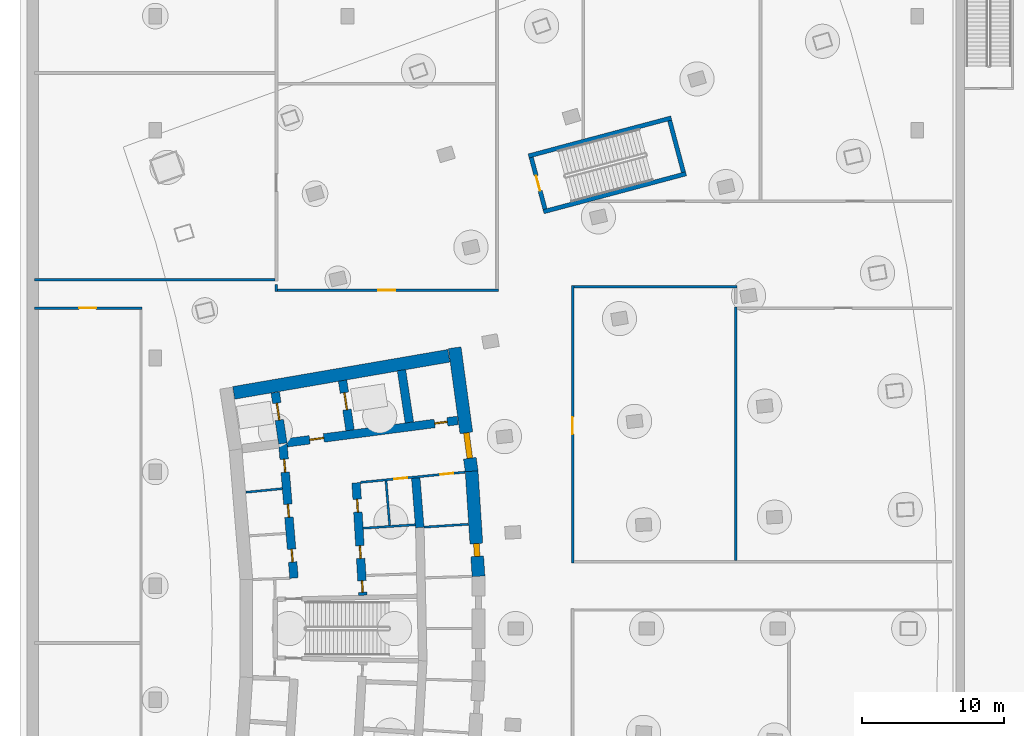
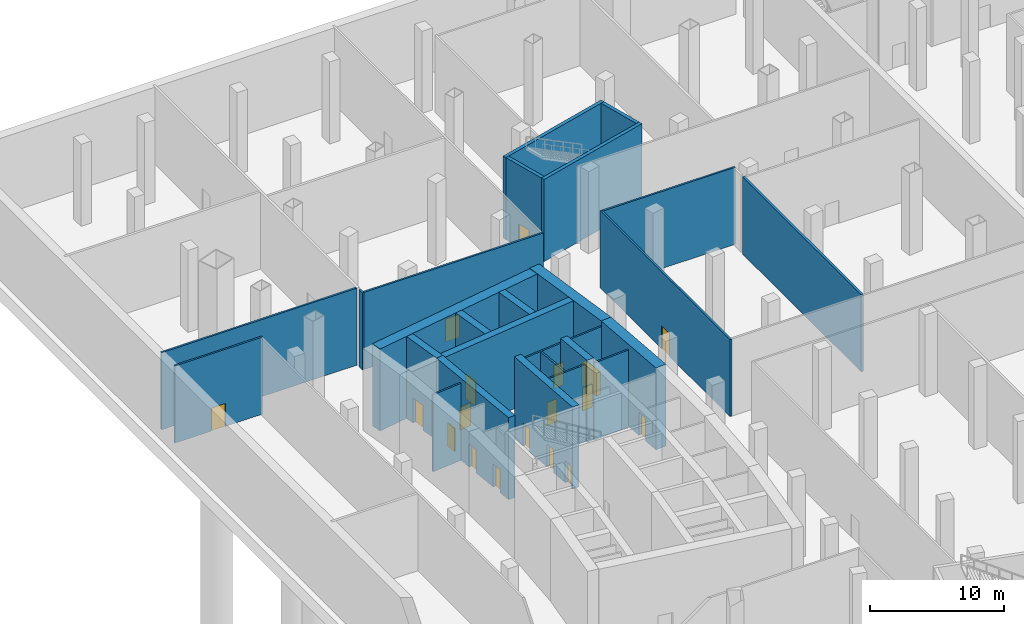
# One storey, part 11 of 19: 26 walls, 18 doors, 18 openings.
"""IFC4 building model written with IfcOpenShell, lengths in metres."""

from ifc_helpers import new_model, si_unit, direction, frame, frame_2d, origin, place, context, subcontext, project, spatial, rectangle, extrude, material, layer, layer_set, type_object, element, fill, save


model = new_model("IFC4")

# Units and contexts
model_context = context("Model", 3, precision=1e-05, world=origin(), true_north=direction((0.0, 1.0)))
body_context = subcontext(model_context, "Body", "Model", "MODEL_VIEW")
ifc_project = project(units=[si_unit("LENGTHUNIT", "METRE"), si_unit("AREAUNIT", "SQUARE_METRE"), si_unit("VOLUMEUNIT", "CUBIC_METRE"), si_unit("PLANEANGLEUNIT", "RADIAN"), si_unit("MASSUNIT", "GRAM", prefix="KILO")], contexts=[model_context])

# Site, building, storey
site_placement = place(None, origin())
site = spatial("IfcSite", under=ifc_project, at=site_placement, CompositionType="ELEMENT")
building_placement = place(site_placement, origin())
building = spatial("IfcBuilding", under=site, at=building_placement, Name="Alderwake Tower", CompositionType="ELEMENT")
storey_placement = place(building_placement, frame((0.0, 0.0, -14.0)))
storey = spatial("IfcBuildingStorey", under=building, at=storey_placement, Name="B2", CompositionType="ELEMENT", Elevation=-14.0)

# Walls
ifc_material_1 = material(Name="Gypsum shaft wall system, rated")
ifc_layer_1 = layer(ifc_material_1, 0.14990234375)
ifc_layer_set_1 = layer_set([ifc_layer_1], Name="Core room partition 150")
wall_type_1 = type_object("IfcWallType", Name="Core room partition 150", PredefinedType="PARTITIONING", material=ifc_layer_set_1)
wall_1_placement = place(storey_placement, frame((26.954833984375, 68.245361328125, 0.0), z_axis=(0.0, 0.0, 1.0), x_axis=(-0.082122484008, 0.996622244193, 0.0)))
element("IfcWall", 1, at=wall_1_placement, inside=storey, type_object=wall_type_1, Name="CW/B2/PA+107_+70", PredefinedType="PARTITIONING", context=body_context, shape_type="SweptSolid", body=[
    extrude(rectangle(XDim=3.13037109375, YDim=0.14990234375, at=frame_2d((1.565185546875, 0.0))), origin(), (0.0, 0.0, 1.0), 7.050048828125),
])
wall_2_placement = place(storey_placement, frame((29.36865234375, 68.1220703125, 0.0), z_axis=(0.0, 0.0, 1.0), x_axis=(0.997885090452, 0.065002663433, 0.0)))
element("IfcWall", 2, at=wall_2_placement, inside=storey, type_object=wall_type_1, Name="CW/B2/PR+68_+128", PredefinedType="PARTITIONING", context=body_context, shape_type="SweptSolid", body=[
    extrude(rectangle(XDim=3.10986328125, YDim=0.14990234375, at=frame_2d((1.554931640625, 0.0))), origin(), (0.0, 0.0, 1.0), 7.050048828125),
])
wall_3_placement = place(storey_placement, frame((25.09228515625, 68.04541015625, 0.0), z_axis=(0.0, 0.0, 1.0), x_axis=(0.997760946222, 0.066881194621, 0.0)))
element("IfcWall", 3, at=wall_3_placement, inside=storey, type_object=wall_type_1, Name="CW/B2/PR+70_+86", PredefinedType="PARTITIONING", context=body_context, shape_type="SweptSolid", body=[
    extrude(rectangle(XDim=3.668701171875, YDim=0.14990234375, at=frame_2d((1.83447265625, 0.0))), origin(), (0.0, 0.0, 1.0), 7.050048828125),
])

# Wall, openings, doors
wall_4_placement = place(storey_placement, frame((32.233642578125, 71.982177734375, 0.0), z_axis=(0.0, 0.0, 1.0), x_axis=(-0.995245540971, -0.097397706226, 0.0)))
wall_4 = element("IfcWall", 4, at=wall_4_placement, inside=storey, type_object=wall_type_1, Name="CW/B2/PR+102_+86", PredefinedType="PARTITIONING", context=body_context, shape_type="SweptSolid", body=[
    extrude(rectangle(XDim=7.36962890625, YDim=0.14990234375, at=frame_2d((3.684814453125, 0.0))), origin(), (0.0, 0.0, 1.0), 7.050048828125),
])
opening_1_placement = place(wall_4_placement, frame((4.069580078125, 0.0, 0.0)))
opening_1 = element("IfcOpeningElement", 5, at=opening_1_placement, cuts=wall_4, Name="Opening C022", PredefinedType="OPENING", context=body_context, shape_type="SweptSolid", body=[
    extrude(rectangle(XDim=0.89990234375, YDim=2.10009765625, at=frame_2d((0.449951171875, 1.050048828125))), frame((0.0, 0.0849609375, 0.0), z_axis=(0.0, -1.0, 0.0), x_axis=(1.0, 0.0, 0.0)), (0.0, 0.0, 1.0), 0.169921875),
])
opening_2_placement = place(wall_4_placement, frame((0.819580078125, 0.0, 0.0)))
opening_2 = element("IfcOpeningElement", 6, at=opening_2_placement, cuts=wall_4, Name="Opening C036", PredefinedType="OPENING", context=body_context, shape_type="SweptSolid", body=[
    extrude(rectangle(XDim=0.89990234375, YDim=2.10009765625, at=frame_2d((0.449951171875, 1.050048828125))), frame((0.0, 0.0849609375, 0.0), z_axis=(0.0, -1.0, 0.0), x_axis=(1.0, 0.0, 0.0)), (0.0, 0.0, 1.0), 0.169921875),
])
ifc_material_2 = material(Name="Painted steel leaf", Category="steel")
door_type_1 = type_object("IfcDoorType", Name="Core room door 900", OperationType="SINGLE_SWING_LEFT", PredefinedType="DOOR", material=ifc_material_2)
door_1_placement = place(opening_1_placement, origin())
door_1 = element("IfcDoor", 7, at=door_1_placement, inside=storey, type_object=door_type_1, Name="Room door", OperationType="SINGLE_SWING_RIGHT", OverallHeight=2.10009765625, OverallWidth=0.89990234375, PredefinedType="DOOR", context=body_context, shape_type="SweptSolid", body=[
    extrude(rectangle(XDim=0.89990234375, YDim=2.10009765625, at=frame_2d((0.449951171875, 1.050048828125))), frame((0.0, 0.02490234375, 0.0), z_axis=(0.0, -1.0, 0.0), x_axis=(1.0, 0.0, 0.0)), (0.0, 0.0, 1.0), 0.050048828125),
])
fill(opening_1, door_1)
door_2_placement = place(opening_2_placement, origin())
door_2 = element("IfcDoor", 8, at=door_2_placement, inside=storey, type_object=door_type_1, Name="Room door", OperationType="SINGLE_SWING_LEFT", OverallHeight=2.10009765625, OverallWidth=0.89990234375, PredefinedType="DOOR", context=body_context, shape_type="SweptSolid", body=[
    extrude(rectangle(XDim=0.89990234375, YDim=2.10009765625, at=frame_2d((0.449951171875, 1.050048828125))), frame((0.0, 0.02490234375, 0.0), z_axis=(0.0, -1.0, 0.0), x_axis=(1.0, 0.0, 0.0)), (0.0, 0.0, 1.0), 0.050048828125),
])
fill(opening_2, door_2)

# Wall
wall_5_placement = place(storey_placement, frame((16.86181640625, 70.571533203125, 0.0), z_axis=(0.0, 0.0, 1.0), x_axis=(0.995151424955, 0.098354671516, 0.0)))
element("IfcWall", 9, at=wall_5_placement, inside=storey, type_object=wall_type_1, Name="CW/B2/PR+103_+0", PredefinedType="PARTITIONING", context=body_context, shape_type="SweptSolid", body=[
    extrude(rectangle(XDim=2.566650390625, YDim=0.14990234375, at=frame_2d((1.283203125, 0.0))), origin(), (0.0, 0.0, 1.0), 7.050048828125),
])

# Wall, opening, door
ifc_material_3 = material(Name="Concrete C70/85", Category="concrete")
ifc_layer_2 = layer(ifc_material_3, 0.89990234375)
ifc_layer_set_2 = layer_set([ifc_layer_2], Name="Core wall outer 900 C70-85")
wall_type_2 = type_object("IfcWallType", Name="Core wall outer 900 C70-85", PredefinedType="SHEAR", material=ifc_layer_set_2)
wall_6_placement = place(storey_placement, frame((32.710693359375, 72.04541015625, 0.0), z_axis=(0.0, 0.0, 1.0), x_axis=(0.064976219143, -0.997886812693, 0.0)))
wall_6 = element("IfcWall", 10, at=wall_6_placement, inside=storey, type_object=wall_type_2, Name="Core wall CW.010", PredefinedType="SHEAR", context=body_context, shape_type="SweptSolid", body=[
    extrude(rectangle(XDim=7.39453125, YDim=0.89990234375, at=frame_2d((3.697265625, 0.0))), origin(), (0.0, 0.0, 1.0), 7.5),
])
opening_3_placement = place(wall_6_placement, frame((5.089111328125, 0.0, 0.0)))
opening_3 = element("IfcOpeningElement", 11, at=opening_3_placement, cuts=wall_6, Name="Opening C035", PredefinedType="OPENING", context=body_context, shape_type="SweptSolid", body=[
    extrude(rectangle(XDim=0.89990234375, YDim=2.10009765625, at=frame_2d((0.449951171875, 1.050048828125))), frame((0.0, 0.4599609375, 0.0), z_axis=(0.0, -1.0, 0.0), x_axis=(1.0, 0.0, 0.0)), (0.0, 0.0, 1.0), 0.919921875),
])
door_3_placement = place(opening_3_placement, origin())
door_3 = element("IfcDoor", 12, at=door_3_placement, inside=storey, type_object=door_type_1, Name="Room door", OperationType="SINGLE_SWING_RIGHT", OverallHeight=2.10009765625, OverallWidth=0.89990234375, PredefinedType="DOOR", context=body_context, shape_type="SweptSolid", body=[
    extrude(rectangle(XDim=0.89990234375, YDim=2.10009765625, at=frame_2d((0.449951171875, 1.050048828125))), frame((0.0, 0.199951171875, 0.0), z_axis=(0.0, -1.0, 0.0), x_axis=(1.0, 0.0, 0.0)), (0.0, 0.0, 1.0), 0.39990234375),
])
fill(opening_3, door_3)

wall_7_placement = place(storey_placement, frame((31.520263671875, 80.7177734375, 0.0), z_axis=(0.0, 0.0, 1.0), x_axis=(0.135844728876, -0.990730139663, 0.0)))
wall_7 = element("IfcWall", 13, at=wall_7_placement, inside=storey, type_object=wall_type_2, Name="Core wall CW.009", PredefinedType="SHEAR", context=body_context, shape_type="SweptSolid", body=[
    extrude(rectangle(XDim=8.78662109375, YDim=0.89990234375, at=frame_2d((4.393310546875, 0.0))), origin(), (0.0, 0.0, 1.0), 7.5),
])
opening_4_placement = place(wall_7_placement, frame((6.02978515625, 0.0, 0.0)))
opening_4 = element("IfcOpeningElement", 14, at=opening_4_placement, cuts=wall_7, Name="Opening C001", PredefinedType="OPENING", context=body_context, shape_type="SweptSolid", body=[
    extrude(rectangle(XDim=1.800048828125, YDim=2.10009765625, at=frame_2d((0.89990234375, 1.050048828125))), frame((0.0, 0.4599609375, 0.0), z_axis=(0.0, -1.0, 0.0), x_axis=(1.0, 0.0, 0.0)), (0.0, 0.0, 1.0), 0.919921875),
])
ifc_material_4 = material(Name="Steel-framed fire door leaves", Category="steel")
door_type_2 = type_object("IfcDoorType", Name="Core double door 1800 fire-rated", OperationType="DOUBLE_DOOR_SINGLE_SWING", PredefinedType="DOOR", material=ifc_material_4)
door_4_placement = place(opening_4_placement, origin())
door_4 = element("IfcDoor", 15, at=door_4_placement, inside=storey, type_object=door_type_2, Name="Lobby double door", OperationType="DOUBLE_DOOR_SINGLE_SWING", OverallHeight=2.10009765625, OverallWidth=1.800048828125, PredefinedType="DOOR", context=body_context, shape_type="SweptSolid", body=[
    extrude(rectangle(XDim=1.800048828125, YDim=2.10009765625, at=frame_2d((0.89990234375, 1.050048828125))), frame((0.0, 0.199951171875, 0.0), z_axis=(0.0, -1.0, 0.0), x_axis=(1.0, 0.0, 0.0)), (0.0, 0.0, 1.0), 0.39990234375),
])
fill(opening_4, door_4)

# Wall
wall_8_placement = place(storey_placement, frame((16.005615234375, 77.548828125, 0.0), z_axis=(0.0, 0.0, 1.0), x_axis=(0.985465815888, 0.169873852363, 0.0)))
element("IfcWall", 16, at=wall_8_placement, inside=storey, type_object=wall_type_2, Name="Core wall CW.053", PredefinedType="SHEAR", context=body_context, shape_type="SweptSolid", body=[
    extrude(rectangle(XDim=15.33056640625, YDim=0.89990234375, at=frame_2d((7.665283203125, 0.0))), origin(), (0.0, 0.0, 1.0), 7.5),
])

# Wall, openings, doors
ifc_material_5 = material(Name="Concrete C70/85", Category="concrete")
ifc_layer_3 = layer(ifc_material_5, 0.60009765625)
ifc_layer_set_3 = layer_set([ifc_layer_3], Name="Core wall spine 600 C70-85")
wall_type_3 = type_object("IfcWallType", Name="Core wall spine 600 C70-85", PredefinedType="SHEAR", material=ifc_layer_set_3)
wall_9_placement = place(storey_placement, frame((19.4521484375, 74.01806640625, 0.0), z_axis=(0.0, 0.0, 1.0), x_axis=(0.082626598613, -0.996580576372, 0.0)))
wall_9 = element("IfcWall", 17, at=wall_9_placement, inside=storey, type_object=wall_type_3, Name="Core wall CW.031", PredefinedType="SHEAR", context=body_context, shape_type="SweptSolid", body=[
    extrude(rectangle(XDim=9.50244140625, YDim=0.60009765625, at=frame_2d((4.751220703125, 0.0))), origin(), (0.0, 0.0, 1.0), 7.5),
])
opening_5_placement = place(wall_9_placement, frame((7.470947265625, 0.0, 0.0)))
opening_5 = element("IfcOpeningElement", 18, at=opening_5_placement, cuts=wall_9, Name="Opening C053", PredefinedType="OPENING", context=body_context, shape_type="SweptSolid", body=[
    extrude(rectangle(XDim=0.89990234375, YDim=2.10009765625, at=frame_2d((0.449951171875, 1.050048828125))), frame((0.0, 0.31005859375, 0.0), z_axis=(0.0, -1.0, 0.0), x_axis=(1.0, 0.0, 0.0)), (0.0, 0.0, 1.0), 0.6201171875),
])
opening_6_placement = place(wall_9_placement, frame((4.306396484375, 0.0, 0.0)))
opening_6 = element("IfcOpeningElement", 19, at=opening_6_placement, cuts=wall_9, Name="Opening C055", PredefinedType="OPENING", context=body_context, shape_type="SweptSolid", body=[
    extrude(rectangle(XDim=0.89990234375, YDim=2.10009765625, at=frame_2d((0.449951171875, 1.050048828125))), frame((0.0, 0.31005859375, 0.0), z_axis=(0.0, -1.0, 0.0), x_axis=(1.0, 0.0, 0.0)), (0.0, 0.0, 1.0), 0.6201171875),
])
opening_7_placement = place(wall_9_placement, frame((1.1416015625, 0.0, 0.0)))
opening_7 = element("IfcOpeningElement", 20, at=opening_7_placement, cuts=wall_9, Name="Opening C056", PredefinedType="OPENING", context=body_context, shape_type="SweptSolid", body=[
    extrude(rectangle(XDim=0.89990234375, YDim=2.10009765625, at=frame_2d((0.449951171875, 1.050048828125))), frame((0.0, 0.31005859375, 0.0), z_axis=(0.0, -1.0, 0.0), x_axis=(1.0, 0.0, 0.0)), (0.0, 0.0, 1.0), 0.6201171875),
])
door_5_placement = place(opening_5_placement, origin())
door_5 = element("IfcDoor", 21, at=door_5_placement, inside=storey, type_object=door_type_1, Name="Room door", OperationType="SINGLE_SWING_LEFT", OverallHeight=2.10009765625, OverallWidth=0.89990234375, PredefinedType="DOOR", context=body_context, shape_type="SweptSolid", body=[
    extrude(rectangle(XDim=0.89990234375, YDim=2.10009765625, at=frame_2d((0.449951171875, 1.050048828125))), frame((0.0, 0.050048828125, 0.0), z_axis=(0.0, -1.0, 0.0), x_axis=(1.0, 0.0, 0.0)), (0.0, 0.0, 1.0), 0.10009765625),
])
fill(opening_5, door_5)
door_6_placement = place(opening_6_placement, origin())
door_6 = element("IfcDoor", 22, at=door_6_placement, inside=storey, type_object=door_type_1, Name="Room door", OperationType="SINGLE_SWING_RIGHT", OverallHeight=2.10009765625, OverallWidth=0.89990234375, PredefinedType="DOOR", context=body_context, shape_type="SweptSolid", body=[
    extrude(rectangle(XDim=0.89990234375, YDim=2.10009765625, at=frame_2d((0.449951171875, 1.050048828125))), frame((0.0, 0.050048828125, 0.0), z_axis=(0.0, -1.0, 0.0), x_axis=(1.0, 0.0, 0.0)), (0.0, 0.0, 1.0), 0.10009765625),
])
fill(opening_6, door_6)
door_7_placement = place(opening_7_placement, origin())
door_7 = element("IfcDoor", 23, at=door_7_placement, inside=storey, type_object=door_type_1, Name="Room door", OperationType="SINGLE_SWING_LEFT", OverallHeight=2.10009765625, OverallWidth=0.89990234375, PredefinedType="DOOR", context=body_context, shape_type="SweptSolid", body=[
    extrude(rectangle(XDim=0.89990234375, YDim=2.10009765625, at=frame_2d((0.449951171875, 1.050048828125))), frame((0.0, 0.050048828125, 0.0), z_axis=(0.0, -1.0, 0.0), x_axis=(1.0, 0.0, 0.0)), (0.0, 0.0, 1.0), 0.10009765625),
])
fill(opening_7, door_7)

# Wall, opening, door
wall_10_placement = place(storey_placement, frame((19.45458984375, 73.99755859375, 0.0), z_axis=(0.0, 0.0, 1.0), x_axis=(-0.147502312715, 0.989061710786, 0.0)))
wall_10 = element("IfcWall", 24, at=wall_10_placement, inside=storey, type_object=wall_type_3, Name="Core wall CW.030", PredefinedType="SHEAR", context=body_context, shape_type="SweptSolid", body=[
    extrude(rectangle(XDim=3.6181640625, YDim=0.60009765625, at=frame_2d((1.80908203125, 0.0))), origin(), (0.0, 0.0, 1.0), 7.5),
])
opening_8_placement = place(wall_10_placement, frame((1.664306640625, 0.0, 0.0)))
opening_8 = element("IfcOpeningElement", 25, at=opening_8_placement, cuts=wall_10, Name="Opening LD-FF1", PredefinedType="OPENING", context=body_context, shape_type="SweptSolid", body=[
    extrude(rectangle(XDim=1.199951171875, YDim=2.300048828125, at=frame_2d((0.60009765625, 1.14990234375))), frame((0.0, 0.31005859375, 0.0), z_axis=(0.0, -1.0, 0.0), x_axis=(1.0, 0.0, 0.0)), (0.0, 0.0, 1.0), 0.6201171875),
])
ifc_material_6 = material(Name="Stainless steel sliding leaf", Category="steel")
door_type_3 = type_object("IfcDoorType", Name="Lift landing door 1200", OperationType="SLIDING_TO_LEFT", PredefinedType="DOOR", material=ifc_material_6)
door_8_placement = place(opening_8_placement, origin())
door_8 = element("IfcDoor", 26, at=door_8_placement, inside=storey, type_object=door_type_3, Name="Lift landing door FF1", OperationType="SLIDING_TO_LEFT", OverallHeight=2.300048828125, OverallWidth=1.199951171875, PredefinedType="DOOR", context=body_context, shape_type="SweptSolid", body=[
    extrude(rectangle(XDim=1.199951171875, YDim=2.300048828125, at=frame_2d((0.60009765625, 1.14990234375))), frame((0.0, 0.050048828125, 0.0), z_axis=(0.0, -1.0, 0.0), x_axis=(1.0, 0.0, 0.0)), (0.0, 0.0, 1.0), 0.10009765625),
])
fill(opening_8, door_8)

# Wall, openings, doors
wall_11_placement = place(storey_placement, frame((25.073974609375, 63.335693359375, 0.0), z_axis=(0.0, 0.0, 1.0), x_axis=(-0.059848641072, 0.998207463487, 0.0)))
wall_11 = element("IfcWall", 27, at=wall_11_placement, inside=storey, type_object=wall_type_3, Name="Core wall CW.045", PredefinedType="SHEAR", context=body_context, shape_type="SweptSolid", body=[
    extrude(rectangle(XDim=7.913818359375, YDim=0.60009765625, at=frame_2d((3.95703125, 0.0))), origin(), (0.0, 0.0, 1.0), 7.5),
])
opening_9_placement = place(wall_11_placement, frame((0.216064453125, 0.0, 0.0)))
opening_9 = element("IfcOpeningElement", 28, at=opening_9_placement, cuts=wall_11, Name="Opening C005", PredefinedType="OPENING", context=body_context, shape_type="SweptSolid", body=[
    extrude(rectangle(XDim=0.800048828125, YDim=2.0, at=frame_2d((0.39990234375, 1.0))), frame((0.0, 0.31005859375, 0.0), z_axis=(0.0, -1.0, 0.0), x_axis=(1.0, 0.0, 0.0)), (0.0, 0.0, 1.0), 0.6201171875),
])
opening_10_placement = place(wall_11_placement, frame((5.856201171875, 0.0, 0.0)))
opening_10 = element("IfcOpeningElement", 29, at=opening_10_placement, cuts=wall_11, Name="Opening C024", PredefinedType="OPENING", context=body_context, shape_type="SweptSolid", body=[
    extrude(rectangle(XDim=0.89990234375, YDim=2.10009765625, at=frame_2d((0.449951171875, 1.050048828125))), frame((0.0, 0.31005859375, 0.0), z_axis=(0.0, -1.0, 0.0), x_axis=(1.0, 0.0, 0.0)), (0.0, 0.0, 1.0), 0.6201171875),
])
opening_11_placement = place(wall_11_placement, frame((2.590087890625, 0.0, 0.0)))
opening_11 = element("IfcOpeningElement", 30, at=opening_11_placement, cuts=wall_11, Name="Opening C059", PredefinedType="OPENING", context=body_context, shape_type="SweptSolid", body=[
    extrude(rectangle(XDim=0.89990234375, YDim=2.10009765625, at=frame_2d((0.449951171875, 1.050048828125))), frame((0.0, 0.31005859375, 0.0), z_axis=(0.0, -1.0, 0.0), x_axis=(1.0, 0.0, 0.0)), (0.0, 0.0, 1.0), 0.6201171875),
])
door_9_placement = place(opening_10_placement, origin())
door_9 = element("IfcDoor", 31, at=door_9_placement, inside=storey, type_object=door_type_1, Name="Room door", OperationType="SINGLE_SWING_LEFT", OverallHeight=2.10009765625, OverallWidth=0.89990234375, PredefinedType="DOOR", context=body_context, shape_type="SweptSolid", body=[
    extrude(rectangle(XDim=0.89990234375, YDim=2.10009765625, at=frame_2d((0.449951171875, 1.050048828125))), frame((0.0, 0.050048828125, 0.0), z_axis=(0.0, -1.0, 0.0), x_axis=(1.0, 0.0, 0.0)), (0.0, 0.0, 1.0), 0.10009765625),
])
fill(opening_10, door_9)
door_10_placement = place(opening_11_placement, origin())
door_10 = element("IfcDoor", 32, at=door_10_placement, inside=storey, type_object=door_type_1, Name="Room door", OperationType="SINGLE_SWING_RIGHT", OverallHeight=2.10009765625, OverallWidth=0.89990234375, PredefinedType="DOOR", context=body_context, shape_type="SweptSolid", body=[
    extrude(rectangle(XDim=0.89990234375, YDim=2.10009765625, at=frame_2d((0.449951171875, 1.050048828125))), frame((0.0, 0.050048828125, 0.0), z_axis=(0.0, -1.0, 0.0), x_axis=(1.0, 0.0, 0.0)), (0.0, 0.0, 1.0), 0.10009765625),
])
fill(opening_11, door_10)
ifc_material_7 = material(Name="Painted steel leaf, rated", Category="steel")
door_type_4 = type_object("IfcDoorType", Name="Riser access door 800", OperationType="SINGLE_SWING_LEFT", PredefinedType="DOOR", material=ifc_material_7)
door_11_placement = place(opening_9_placement, origin())
door_11 = element("IfcDoor", 33, at=door_11_placement, inside=storey, type_object=door_type_4, Name="Riser access door", OperationType="SINGLE_SWING_LEFT", OverallHeight=2.0, OverallWidth=0.800048828125, PredefinedType="DOOR", context=body_context, shape_type="SweptSolid", body=[
    extrude(rectangle(XDim=0.800048828125, YDim=2.0, at=frame_2d((0.39990234375, 1.0))), frame((0.0, 0.050048828125, 0.0), z_axis=(0.0, -1.0, 0.0), x_axis=(1.0, 0.0, 0.0)), (0.0, 0.0, 1.0), 0.10009765625),
])
fill(opening_9, door_11)

# Wall, opening, door
wall_12_placement = place(storey_placement, frame((24.173095703125, 74.927734375, 0.0), z_axis=(0.0, 0.0, 1.0), x_axis=(-0.14910953086, 0.988820685365, 0.0)))
wall_12 = element("IfcWall", 34, at=wall_12_placement, inside=storey, type_object=wall_type_3, Name="Core wall CW.044", PredefinedType="SHEAR", context=body_context, shape_type="SweptSolid", body=[
    extrude(rectangle(XDim=3.5234375, YDim=0.60009765625, at=frame_2d((1.76171875, 0.0))), origin(), (0.0, 0.0, 1.0), 7.5),
])
opening_12_placement = place(wall_12_placement, frame((1.4619140625, 0.0, 0.0)))
opening_12 = element("IfcOpeningElement", 35, at=opening_12_placement, cuts=wall_12, Name="Opening LD-FF2", PredefinedType="OPENING", context=body_context, shape_type="SweptSolid", body=[
    extrude(rectangle(XDim=1.199951171875, YDim=2.300048828125, at=frame_2d((0.60009765625, 1.14990234375))), frame((0.0, 0.31005859375, 0.0), z_axis=(0.0, -1.0, 0.0), x_axis=(1.0, 0.0, 0.0)), (0.0, 0.0, 1.0), 0.6201171875),
])
door_12_placement = place(opening_12_placement, origin())
door_12 = element("IfcDoor", 36, at=door_12_placement, inside=storey, type_object=door_type_3, Name="Lift landing door FF2", OperationType="SLIDING_TO_LEFT", OverallHeight=2.300048828125, OverallWidth=1.199951171875, PredefinedType="DOOR", context=body_context, shape_type="SweptSolid", body=[
    extrude(rectangle(XDim=1.199951171875, YDim=2.300048828125, at=frame_2d((0.60009765625, 1.14990234375))), frame((0.0, 0.050048828125, 0.0), z_axis=(0.0, -1.0, 0.0), x_axis=(1.0, 0.0, 0.0)), (0.0, 0.0, 1.0), 0.10009765625),
])
fill(opening_12, door_12)

# Walls
wall_13_placement = place(storey_placement, frame((29.069580078125, 68.09326171875, 0.0), z_axis=(0.0, 0.0, 1.0), x_axis=(-0.080849700234, 0.996726304445, 0.0)))
element("IfcWall", 37, at=wall_13_placement, inside=storey, type_object=wall_type_3, Name="Core wall CW.003", PredefinedType="SHEAR", context=body_context, shape_type="SweptSolid", body=[
    extrude(rectangle(XDim=3.48779296875, YDim=0.60009765625, at=frame_2d((1.743896484375, 0.0))), origin(), (0.0, 0.0, 1.0), 7.5),
])
wall_14_placement = place(storey_placement, frame((28.337646484375, 75.472412109375, 0.0), z_axis=(0.0, 0.0, 1.0), x_axis=(-0.149224787751, 0.988803298296, 0.0)))
element("IfcWall", 38, at=wall_14_placement, inside=storey, type_object=wall_type_3, Name="Core wall CW.001", PredefinedType="SHEAR", context=body_context, shape_type="SweptSolid", body=[
    extrude(rectangle(XDim=3.712158203125, YDim=0.60009765625, at=frame_2d((1.85595703125, 0.0))), origin(), (0.0, 0.0, 1.0), 7.5),
])

# Wall, openings, doors
wall_15_placement = place(storey_placement, frame((31.735595703125, 75.6142578125, 0.0), z_axis=(0.0, 0.0, 1.0), x_axis=(-0.991553829991, -0.129695806526, 0.0)))
wall_15 = element("IfcWall", 39, at=wall_15_placement, inside=storey, type_object=wall_type_3, Name="Core wall CW.052", PredefinedType="SHEAR", context=body_context, shape_type="SweptSolid", body=[
    extrude(rectangle(XDim=12.0869140625, YDim=0.60009765625, at=frame_2d((6.04345703125, 0.0))), origin(), (0.0, 0.0, 1.0), 7.5),
])
opening_13_placement = place(wall_15_placement, frame((9.4873046875, 0.0, 0.0)))
opening_13 = element("IfcOpeningElement", 40, at=opening_13_placement, cuts=wall_15, Name="Opening C002", PredefinedType="OPENING", context=body_context, shape_type="SweptSolid", body=[
    extrude(rectangle(XDim=1.0, YDim=2.10009765625, at=frame_2d((0.5, 1.050048828125))), frame((0.0, 0.31005859375, 0.0), z_axis=(0.0, -1.0, 0.0), x_axis=(1.0, 0.0, 0.0)), (0.0, 0.0, 1.0), 0.6201171875),
])
opening_14_placement = place(wall_15_placement, frame((0.7373046875, 0.0, 0.0)))
opening_14 = element("IfcOpeningElement", 41, at=opening_14_placement, cuts=wall_15, Name="Opening C020", PredefinedType="OPENING", context=body_context, shape_type="SweptSolid", body=[
    extrude(rectangle(XDim=0.89990234375, YDim=2.10009765625, at=frame_2d((0.449951171875, 1.050048828125))), frame((0.0, 0.31005859375, 0.0), z_axis=(0.0, -1.0, 0.0), x_axis=(1.0, 0.0, 0.0)), (0.0, 0.0, 1.0), 0.6201171875),
])
door_13_placement = place(opening_14_placement, origin())
door_13 = element("IfcDoor", 42, at=door_13_placement, inside=storey, type_object=door_type_1, Name="Room door", OperationType="SINGLE_SWING_LEFT", OverallHeight=2.10009765625, OverallWidth=0.89990234375, PredefinedType="DOOR", context=body_context, shape_type="SweptSolid", body=[
    extrude(rectangle(XDim=0.89990234375, YDim=2.10009765625, at=frame_2d((0.449951171875, 1.050048828125))), frame((0.0, 0.050048828125, 0.0), z_axis=(0.0, -1.0, 0.0), x_axis=(1.0, 0.0, 0.0)), (0.0, 0.0, 1.0), 0.10009765625),
])
fill(opening_14, door_13)
ifc_material_8 = material(Name="Steel-framed fire door leaf", Category="steel")
door_type_5 = type_object("IfcDoorType", Name="Firefighting lobby door 1000 fire-rated", OperationType="SINGLE_SWING_LEFT", PredefinedType="DOOR", material=ifc_material_8)
door_14_placement = place(opening_13_placement, origin())
door_14 = element("IfcDoor", 43, at=door_14_placement, inside=storey, type_object=door_type_5, Name="Firefighting lobby door", OperationType="SINGLE_SWING_RIGHT", OverallHeight=2.10009765625, OverallWidth=1.0, PredefinedType="DOOR", context=body_context, shape_type="SweptSolid", body=[
    extrude(rectangle(XDim=1.0, YDim=2.10009765625, at=frame_2d((0.5, 1.050048828125))), frame((0.0, 0.050048828125, 0.0), z_axis=(0.0, -1.0, 0.0), x_axis=(1.0, 0.0, 0.0)), (0.0, 0.0, 1.0), 0.10009765625),
])
fill(opening_13, door_14)

# Walls
ifc_material_9 = material(Name="Concrete C70/85", Category="concrete")
ifc_layer_4 = layer(ifc_material_9, 0.300048828125)
ifc_layer_set_4 = layer_set([ifc_layer_4], Name="Core wall stair enclosure 300 C70-85")
wall_type_4 = type_object("IfcWallType", Name="Core wall stair enclosure 300 C70-85", PredefinedType="SHEAR", material=ifc_layer_set_4)
for number, where, z_axis, x_axis, name in (
    (44, (36.71142578125, 94.182373046875, 0.0), (0.0, 0.0, 1.0), (0.966309214305, 0.257383958996, 0.0), "Core wall CW.082"),
    (45, (37.75390625, 90.268798828125, 0.0), (0.0, 0.0, 1.0), (0.966309214305, 0.257383958996, 0.0), "Core wall CW.084"),
):
    element("IfcWall", number, at=place(storey_placement, frame(where, z_axis=z_axis, x_axis=x_axis)), inside=storey, type_object=wall_type_4, Name=name, PredefinedType="SHEAR", context=body_context, shape_type="SweptSolid", body=[
        extrude(rectangle(XDim=10.360107421875, YDim=0.300048828125, at=frame_2d((5.18017578125, 0.0))), origin(), (0.0, 0.0, 1.0), 7.5),
    ])

# Wall, opening, door
wall_16_placement = place(storey_placement, frame((37.8603515625, 90.452392578125, 0.0), z_axis=(0.0, 0.0, 1.0), x_axis=(-0.257411420208, 0.966301899381, 0.0)))
wall_16 = element("IfcWall", 46, at=wall_16_placement, inside=storey, type_object=wall_type_4, Name="Core wall CW.083", PredefinedType="SHEAR", context=body_context, shape_type="SweptSolid", body=[
    extrude(rectangle(XDim=3.750244140625, YDim=0.300048828125, at=frame_2d((1.875, 0.0))), origin(), (0.0, 0.0, 1.0), 7.5),
])
opening_15_placement = place(wall_16_placement, frame((1.324951171875, 0.0, 0.0)))
opening_15 = element("IfcOpeningElement", 47, at=opening_15_placement, cuts=wall_16, Name="Opening C062", PredefinedType="OPENING", context=body_context, shape_type="SweptSolid", body=[
    extrude(rectangle(XDim=1.10009765625, YDim=2.10009765625, at=frame_2d((0.550048828125, 1.050048828125))), frame((0.0, 0.159912109375, 0.0), z_axis=(0.0, -1.0, 0.0), x_axis=(1.0, 0.0, 0.0)), (0.0, 0.0, 1.0), 0.320068359375),
])
ifc_material_10 = material(Name="Steel-framed fire door leaf", Category="steel")
door_type_6 = type_object("IfcDoorType", Name="Core stair door 1100 fire-rated", OperationType="SINGLE_SWING_LEFT", PredefinedType="DOOR", material=ifc_material_10)
door_15_placement = place(opening_15_placement, origin())
door_15 = element("IfcDoor", 48, at=door_15_placement, inside=storey, type_object=door_type_6, Name="Stair door", OperationType="SINGLE_SWING_RIGHT", OverallHeight=2.10009765625, OverallWidth=1.10009765625, PredefinedType="DOOR", context=body_context, shape_type="SweptSolid", body=[
    extrude(rectangle(XDim=1.10009765625, YDim=2.10009765625, at=frame_2d((0.550048828125, 1.050048828125))), frame((0.0, 0.02490234375, 0.0), z_axis=(0.0, -1.0, 0.0), x_axis=(1.0, 0.0, 0.0)), (0.0, 0.0, 1.0), 0.050048828125),
])
fill(opening_15, door_15)

# Wall
wall_17_placement = place(storey_placement, frame((47.581298828125, 93.041748046875, 0.0), z_axis=(0.0, 0.0, 1.0), x_axis=(-0.257366821694, 0.966313778796, 0.0)))
element("IfcWall", 49, at=wall_17_placement, inside=storey, type_object=wall_type_4, Name="Core wall CW.081", PredefinedType="SHEAR", context=body_context, shape_type="SweptSolid", body=[
    extrude(rectangle(XDim=3.749755859375, YDim=0.300048828125, at=frame_2d((1.875, 0.0))), origin(), (0.0, 0.0, 1.0), 7.5),
])

# Wall, opening, door
ifc_material_11 = material(Name="Gypsum board on metal studs, rated")
ifc_layer_5 = layer(ifc_material_11, 0.159912109375)
ifc_layer_set_5 = layer_set([ifc_layer_5], Name="Corridor wall 160")
wall_type_5 = type_object("IfcWallType", Name="Corridor wall 160", PredefinedType="PARTITIONING", material=ifc_layer_set_5)
wall_18_placement = place(storey_placement, frame((2.0009765625, 83.4990234375, 0.0), z_axis=(0.0, 0.0, 1.0), x_axis=(1.0, 0.0, 0.0)))
wall_18 = element("IfcWall", 50, at=wall_18_placement, inside=storey, type_object=wall_type_5, Name="WL/B2/W34", PredefinedType="PARTITIONING", context=body_context, shape_type="SweptSolid", body=[
    extrude(rectangle(XDim=7.580078125, YDim=0.159912109375, at=frame_2d((3.7900390625, 0.0))), origin(), (0.0, 0.0, 1.0), 7.050048828125),
])
opening_16_placement = place(wall_18_placement, frame((3.14892578125, 0.0, 0.0)))
opening_16 = element("IfcOpeningElement", 51, at=opening_16_placement, cuts=wall_18, Name="Opening B2-31", PredefinedType="OPENING", context=body_context, shape_type="SweptSolid", body=[
    extrude(rectangle(XDim=1.199951171875, YDim=2.10009765625, at=frame_2d((0.60009765625, 1.050048828125))), frame((0.0, 0.08984375, 0.0), z_axis=(0.0, -1.0, 0.0), x_axis=(1.0, 0.0, 0.0)), (0.0, 0.0, 1.0), 0.179931640625),
])
ifc_material_12 = material(Name="Steel door leaf in steel frame", Category="steel")
door_type_7 = type_object("IfcDoorType", Name="Plant room door 1200 steel", OperationType="SINGLE_SWING_LEFT", PredefinedType="DOOR", material=ifc_material_12)
door_16_placement = place(opening_16_placement, origin())
door_16 = element("IfcDoor", 52, at=door_16_placement, inside=storey, type_object=door_type_7, Name="DR/B2/31", OperationType="SINGLE_SWING_LEFT", OverallHeight=2.10009765625, OverallWidth=1.199951171875, PredefinedType="DOOR", context=body_context, shape_type="SweptSolid", body=[
    extrude(rectangle(XDim=1.199951171875, YDim=2.10009765625, at=frame_2d((0.60009765625, 1.050048828125))), frame((0.0, 0.02490234375, 0.0), z_axis=(0.0, -1.0, 0.0), x_axis=(1.0, 0.0, 0.0)), (0.0, 0.0, 1.0), 0.050048828125),
])
fill(opening_16, door_16)

# Walls
wall_19_placement = place(storey_placement, frame((18.9990234375, 84.669921875, 0.0), z_axis=(0.0, 0.0, 1.0), x_axis=(0.0, 1.0, 0.0)))
element("IfcWall", 53, at=wall_19_placement, inside=storey, type_object=wall_type_5, Name="WL/B2/W39", PredefinedType="PARTITIONING", context=body_context, shape_type="SweptSolid", body=[
    extrude(rectangle(XDim=0.496826171875, YDim=0.159912109375, at=frame_2d((0.24853515625, 0.0))), origin(), (0.0, 0.0, 1.0), 7.050048828125),
])
wall_20_placement = place(storey_placement, frame((18.89892578125, 85.5, 0.0), z_axis=(0.0, 0.0, 1.0), x_axis=(-1.0, 0.0, 0.0)))
element("IfcWall", 54, at=wall_20_placement, inside=storey, type_object=wall_type_5, Name="WL/B2/W40", PredefinedType="PARTITIONING", context=body_context, shape_type="SweptSolid", body=[
    extrude(rectangle(XDim=16.89794921875, YDim=0.159912109375, at=frame_2d((8.448974609375, 0.0))), origin(), (0.0, 0.0, 1.0), 7.050048828125),
])

# Wall, opening, door
wall_21_placement = place(storey_placement, frame((34.580078125, 84.75, 0.0), z_axis=(0.0, 0.0, 1.0), x_axis=(-1.0, 0.0, 0.0)))
wall_21 = element("IfcWall", 55, at=wall_21_placement, inside=storey, type_object=wall_type_5, Name="WL/B2/W42", PredefinedType="PARTITIONING", context=body_context, shape_type="SweptSolid", body=[
    extrude(rectangle(XDim=15.5009765625, YDim=0.159912109375, at=frame_2d((7.75048828125, 0.0))), origin(), (0.0, 0.0, 1.0), 7.050048828125),
])
opening_17_placement = place(wall_21_placement, frame((7.22998046875, 0.0, 0.0)))
opening_17 = element("IfcOpeningElement", 56, at=opening_17_placement, cuts=wall_21, Name="Opening B2-20", PredefinedType="OPENING", context=body_context, shape_type="SweptSolid", body=[
    extrude(rectangle(XDim=1.199951171875, YDim=2.10009765625, at=frame_2d((0.60009765625, 1.050048828125))), frame((0.0, 0.08984375, 0.0), z_axis=(0.0, -1.0, 0.0), x_axis=(1.0, 0.0, 0.0)), (0.0, 0.0, 1.0), 0.179931640625),
])
door_17_placement = place(opening_17_placement, origin())
door_17 = element("IfcDoor", 57, at=door_17_placement, inside=storey, type_object=door_type_7, Name="DR/B2/20", OperationType="SINGLE_SWING_LEFT", OverallHeight=2.10009765625, OverallWidth=1.199951171875, PredefinedType="DOOR", context=body_context, shape_type="SweptSolid", body=[
    extrude(rectangle(XDim=1.199951171875, YDim=2.10009765625, at=frame_2d((0.60009765625, 1.050048828125))), frame((0.0, 0.02490234375, 0.0), z_axis=(0.0, -1.0, 0.0), x_axis=(1.0, 0.0, 0.0)), (0.0, 0.0, 1.0), 0.050048828125),
])
fill(opening_17, door_17)

wall_22_placement = place(storey_placement, frame((39.801025390625, 65.6201171875, 0.0), z_axis=(0.0, 0.0, 1.0), x_axis=(0.0, 1.0, 0.0)))
wall_22 = element("IfcWall", 58, at=wall_22_placement, inside=storey, type_object=wall_type_5, Name="WL/B2/W48", PredefinedType="PARTITIONING", context=body_context, shape_type="SweptSolid", body=[
    extrude(rectangle(XDim=19.458984375, YDim=0.159912109375, at=frame_2d((9.7294921875, 0.0))), origin(), (0.0, 0.0, 1.0), 7.050048828125),
])
opening_18_placement = place(wall_22_placement, frame((9.030029296875, 0.0, 0.0)))
opening_18 = element("IfcOpeningElement", 59, at=opening_18_placement, cuts=wall_22, Name="Opening B2-26", PredefinedType="OPENING", context=body_context, shape_type="SweptSolid", body=[
    extrude(rectangle(XDim=1.199951171875, YDim=2.10009765625, at=frame_2d((0.60009765625, 1.050048828125))), frame((0.0, 0.08984375, 0.0), z_axis=(0.0, -1.0, 0.0), x_axis=(1.0, 0.0, 0.0)), (0.0, 0.0, 1.0), 0.179931640625),
])
door_18_placement = place(opening_18_placement, origin())
door_18 = element("IfcDoor", 60, at=door_18_placement, inside=storey, type_object=door_type_7, Name="DR/B2/26", OperationType="SINGLE_SWING_LEFT", OverallHeight=2.10009765625, OverallWidth=1.199951171875, PredefinedType="DOOR", context=body_context, shape_type="SweptSolid", body=[
    extrude(rectangle(XDim=1.199951171875, YDim=2.10009765625, at=frame_2d((0.60009765625, 1.050048828125))), frame((0.0, 0.02490234375, 0.0), z_axis=(0.0, -1.0, 0.0), x_axis=(1.0, 0.0, 0.0)), (0.0, 0.0, 1.0), 0.050048828125),
])
fill(opening_18, door_18)

# Walls
wall_23_placement = place(storey_placement, frame((39.881103515625, 84.9990234375, 0.0), z_axis=(0.0, 0.0, 1.0), x_axis=(1.0, 0.0, 0.0)))
element("IfcWall", 61, at=wall_23_placement, inside=storey, type_object=wall_type_5, Name="WL/B2/W49", PredefinedType="PARTITIONING", context=body_context, shape_type="SweptSolid", body=[
    extrude(rectangle(XDim=11.447998046875, YDim=0.159912109375, at=frame_2d((5.72412109375, 0.0))), origin(), (0.0, 0.0, 1.0), 7.050048828125),
])
ifc_material_13 = material(Name="Dense block masonry wall", Category="masonry")
ifc_layer_6 = layer(ifc_material_13, 0.199951171875)
ifc_layer_set_6 = layer_set([ifc_layer_6], Name="Party wall 200")
wall_type_6 = type_object("IfcWallType", Name="Party wall 200", PredefinedType="SOLIDWALL", material=ifc_layer_set_6)
wall_24_placement = place(storey_placement, frame((51.2490234375, 65.780029296875, 0.0), z_axis=(0.0, 0.0, 1.0), x_axis=(0.0, 1.0, 0.0)))
element("IfcWall", 62, at=wall_24_placement, inside=storey, type_object=wall_type_6, Name="WL/B2/W08", PredefinedType="SOLIDWALL", context=body_context, shape_type="SweptSolid", body=[
    extrude(rectangle(XDim=17.799072265625, YDim=0.199951171875, at=frame_2d((8.8994140625, 0.0))), origin(), (0.0, 0.0, 1.0), 7.050048828125),
])

save(model, "model.ifc")
